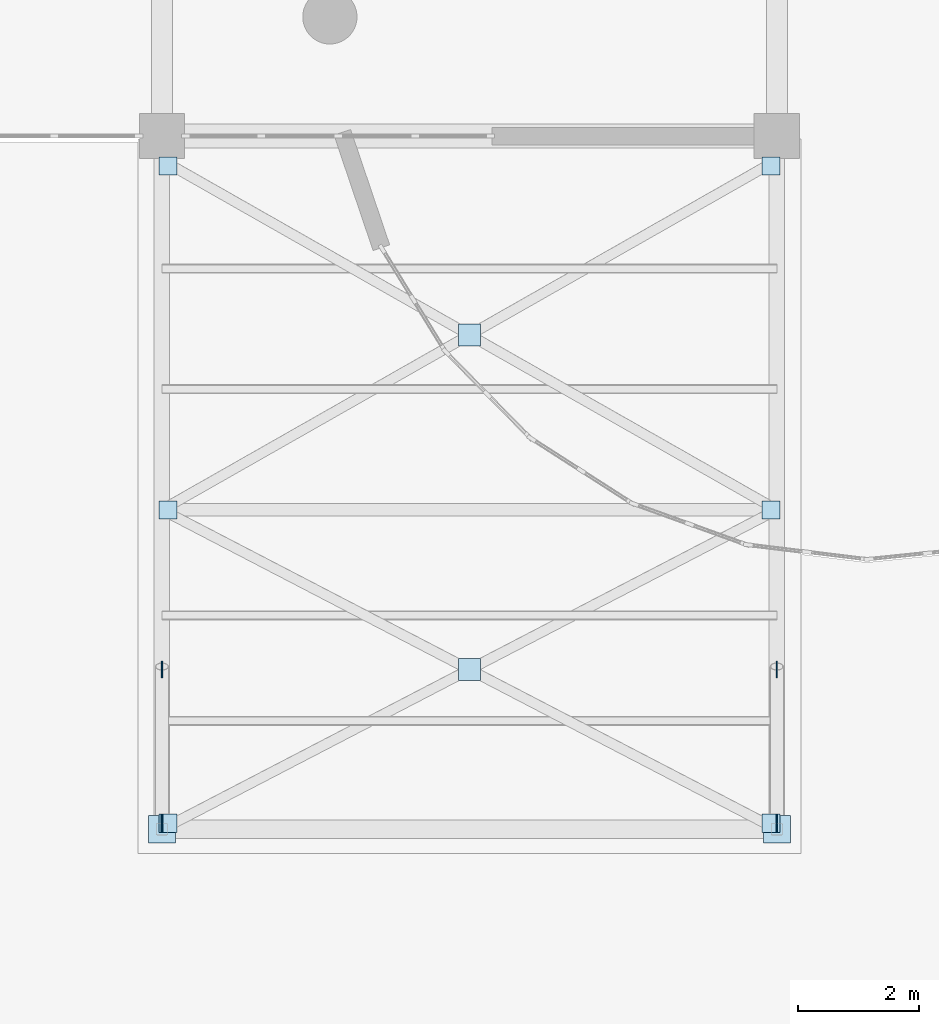
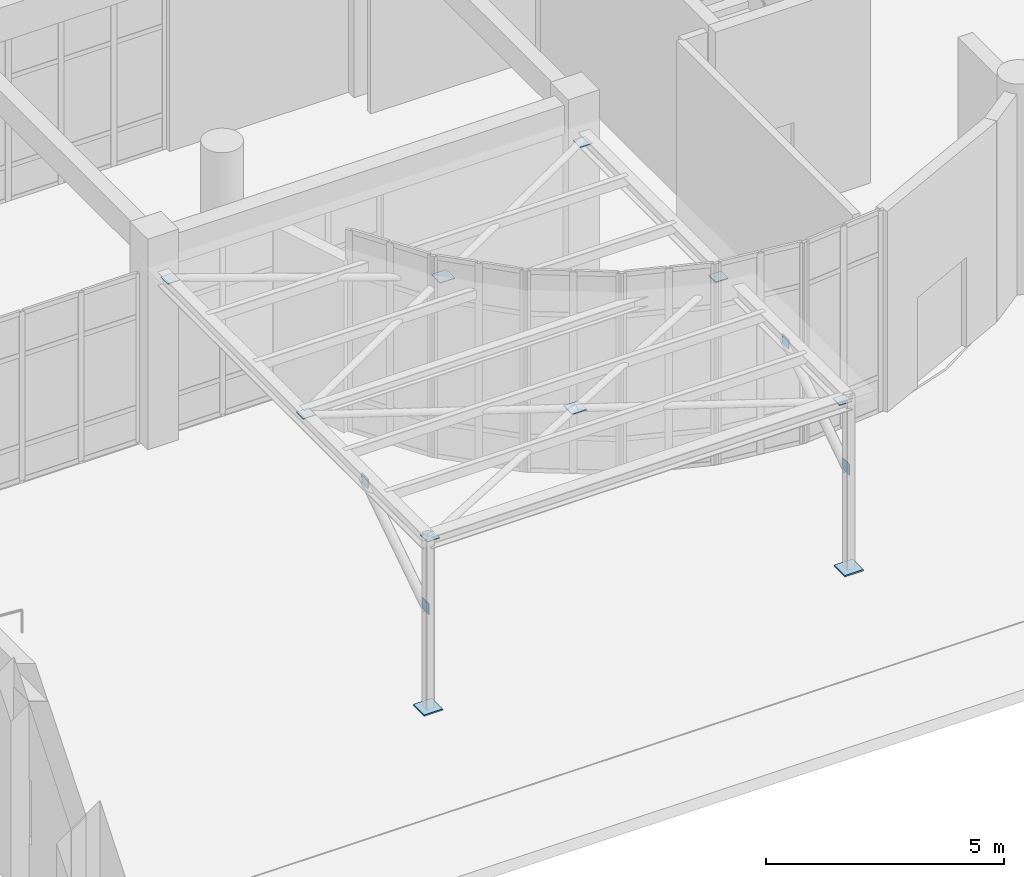
# One storey, part 47 of 70: 14 plates.
"""IFC4 building model written with IfcOpenShell, lengths in metres."""

from ifc_helpers import new_model, si_unit, direction, frame, origin, origin_2d, place, context, subcontext, project, spatial, rectangle, extrude, material, layer, layer_set, type_object, element, save


model = new_model("IFC4")

# Units and contexts
model_context = context("Model", 3, precision=1e-05, world=origin(), true_north=direction((0.0, 1.0)))
body_context = subcontext(model_context, "Body", "Model", "MODEL_VIEW")
ifc_project = project(units=[si_unit("LENGTHUNIT", "METRE"), si_unit("AREAUNIT", "SQUARE_METRE"), si_unit("VOLUMEUNIT", "CUBIC_METRE"), si_unit("PLANEANGLEUNIT", "RADIAN"), si_unit("MASSUNIT", "GRAM", prefix="KILO")], contexts=[model_context])

# Site, building, storey
site_placement = place(None, origin())
site = spatial("IfcSite", under=ifc_project, at=site_placement, CompositionType="ELEMENT")
building_placement = place(site_placement, origin())
building = spatial("IfcBuilding", under=site, at=building_placement, Name="Miralva Faculty of Natural Sciences", CompositionType="ELEMENT")
storey_placement = place(building_placement, origin())
storey = spatial("IfcBuildingStorey", under=building, at=storey_placement, Name="L00", CompositionType="ELEMENT", Elevation=0.0)

# Plates
ifc_material = material(Name="Steel S355", Category="steel")
ifc_layer_1 = layer(ifc_material, 0.035888671875, Name="PLT-BP01")
ifc_layer_set_1 = layer_set([ifc_layer_1], Name="Steel S355")
plate_type_1 = type_object("IfcPlateType", Name="PLT-BP01", PredefinedType="SHEET", material=ifc_layer_set_1)
for number, where, z_axis, x_axis, name in (
    (1, (46.199951171875, 6.5, 0.0), (0.0, 0.0, 1.0), (1.0, 0.0, 0.0), "Canopy column baseplate 1"),
    (2, (56.39990234375, 6.5, 0.0), (0.0, 0.0, 1.0), (1.0, 0.0, 0.0), "Canopy column baseplate 2"),
):
    element("IfcPlate", number, at=place(storey_placement, frame(where, z_axis=z_axis, x_axis=x_axis)), inside=storey, type_object=plate_type_1, Name=name, PredefinedType="SHEET", context=body_context, shape_type="SweptSolid", body=[
        extrude(rectangle(XDim=0.449951171875, YDim=0.449951171875, at=origin_2d()), origin(), (0.0, 0.0, 1.0), 0.035888671875),
    ])
ifc_layer_2 = layer(ifc_material, 0.02490234375, Name="PLT-BP02")
ifc_layer_set_2 = layer_set([ifc_layer_2], Name="Steel S355")
plate_type_2 = type_object("IfcPlateType", Name="PLT-BP02", PredefinedType="SHEET", material=ifc_layer_set_2)
plate_1_placement = place(storey_placement, frame((46.199951171875, 6.60009765625, 2.41015625), z_axis=(0.0, 0.0, 1.0), x_axis=(1.0, 0.0, 0.0)))
element("IfcPlate", 3, at=plate_1_placement, inside=storey, type_object=plate_type_2, Name="Canopy strut lower gusset plate 1", PredefinedType="SHEET", context=body_context, shape_type="SweptSolid", body=[
    extrude(rectangle(XDim=0.02001953125, YDim=0.280029296875, at=origin_2d()), origin(), (0.0, 0.0, 1.0), 0.280029296875),
])
plate_2_placement = place(storey_placement, frame((46.199951171875, 9.14990234375, 4.10009765625), z_axis=(0.0, 0.0, 1.0), x_axis=(1.0, 0.0, 0.0)))
element("IfcPlate", 4, at=plate_2_placement, inside=storey, type_object=plate_type_2, Name="Canopy strut upper gusset plate 1", PredefinedType="SHEET", context=body_context, shape_type="SweptSolid", body=[
    extrude(rectangle(XDim=0.02001953125, YDim=0.280029296875, at=origin_2d()), origin(), (0.0, 0.0, 1.0), 0.239990234375),
])
plate_3_placement = place(storey_placement, frame((56.39990234375, 6.60009765625, 2.41015625), z_axis=(0.0, 0.0, 1.0), x_axis=(1.0, 0.0, 0.0)))
element("IfcPlate", 5, at=plate_3_placement, inside=storey, type_object=plate_type_2, Name="Canopy strut lower gusset plate 2", PredefinedType="SHEET", context=body_context, shape_type="SweptSolid", body=[
    extrude(rectangle(XDim=0.02001953125, YDim=0.280029296875, at=origin_2d()), origin(), (0.0, 0.0, 1.0), 0.280029296875),
])
plate_4_placement = place(storey_placement, frame((56.39990234375, 9.14990234375, 4.10009765625), z_axis=(0.0, 0.0, 1.0), x_axis=(1.0, 0.0, 0.0)))
element("IfcPlate", 6, at=plate_4_placement, inside=storey, type_object=plate_type_2, Name="Canopy strut upper gusset plate 2", PredefinedType="SHEET", context=body_context, shape_type="SweptSolid", body=[
    extrude(rectangle(XDim=0.02001953125, YDim=0.280029296875, at=origin_2d()), origin(), (0.0, 0.0, 1.0), 0.239990234375),
])
for number, where, z_axis, x_axis, name in (
    (7, (51.300048828125, 9.14990234375, 4.28759765625), (0.0, 0.0, 1.0), (1.0, 0.0, 0.0), "Canopy X-brace central crossing gusset plate 1"),
    (8, (51.300048828125, 14.699951171875, 4.28759765625), (0.0, 0.0, 1.0), (1.0, 0.0, 0.0), "Canopy X-brace central crossing gusset plate 2"),
):
    element("IfcPlate", number, at=place(storey_placement, frame(where, z_axis=z_axis, x_axis=x_axis)), inside=storey, type_object=plate_type_2, Name=name, PredefinedType="SHEET", context=body_context, shape_type="SweptSolid", body=[
        extrude(rectangle(XDim=0.360107421875, YDim=0.360107421875, at=origin_2d()), origin(), (0.0, 0.0, 1.0), 0.02490234375),
    ])
for number, where, z_axis, x_axis, name in (
    (9, (46.300048828125, 6.60009765625, 4.2900390625), (0.0, 0.0, 1.0), (1.0, 0.0, 0.0), "Canopy brace end gusset plate 1"),
    (10, (56.300048828125, 6.60009765625, 4.2900390625), (0.0, 0.0, 1.0), (1.0, 0.0, 0.0), "Canopy brace end gusset plate 2"),
    (11, (46.300048828125, 11.800048828125, 4.2900390625), (0.0, 0.0, 1.0), (1.0, 0.0, 0.0), "Canopy brace end gusset plate 3"),
    (12, (56.300048828125, 11.800048828125, 4.2900390625), (0.0, 0.0, 1.0), (1.0, 0.0, 0.0), "Canopy brace end gusset plate 4"),
    (13, (46.300048828125, 17.5, 4.2900390625), (0.0, 0.0, 1.0), (1.0, 0.0, 0.0), "Canopy brace end gusset plate 5"),
    (14, (56.300048828125, 17.5, 4.2900390625), (0.0, 0.0, 1.0), (1.0, 0.0, 0.0), "Canopy brace end gusset plate 6"),
):
    element("IfcPlate", number, at=place(storey_placement, frame(where, z_axis=z_axis, x_axis=x_axis)), inside=storey, type_object=plate_type_2, Name=name, PredefinedType="SHEET", context=body_context, shape_type="SweptSolid", body=[
        extrude(rectangle(XDim=0.300048828125, YDim=0.300048828125, at=origin_2d()), origin(), (0.0, 0.0, 1.0), 0.02001953125),
    ])

save(model, "model.ifc")
